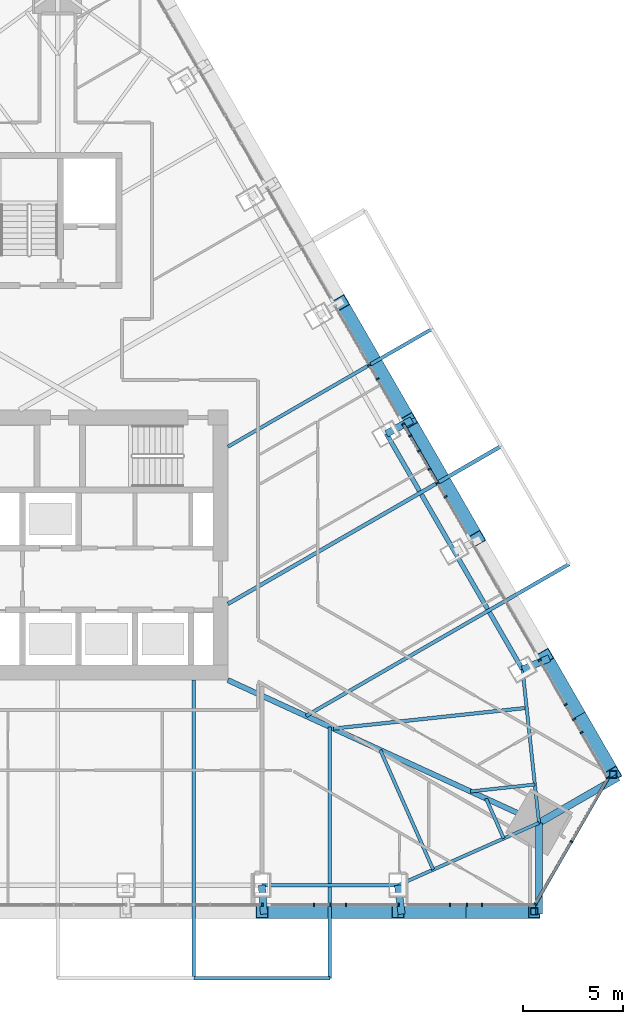
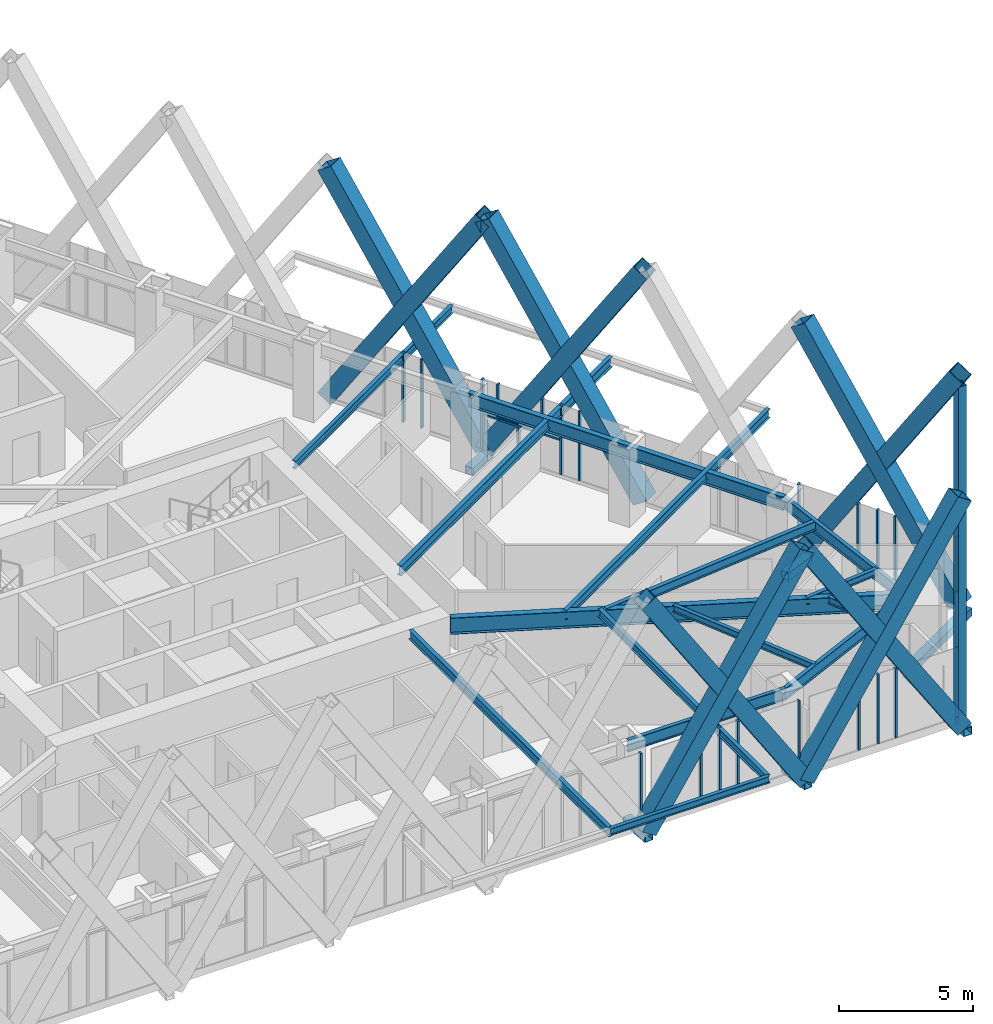
# One storey, part 8 of 24: 43 members, 15 beams, 3 elements without a shape of their own.
"""IFC4 building model written with IfcOpenShell, lengths in metres."""

from ifc_helpers import new_model, si_unit, direction, frame, origin, origin_2d, place, context, subcontext, project, spatial, rectangle, hollow_rectangle, i_section, extrude, material, layer, layer_set, material_profile, profile_set, type_object, element, aggregate, save


model = new_model("IFC4")

# Units and contexts
model_context = context("Model", 3, precision=1e-05, world=origin(), true_north=direction((0.0, 1.0)))
body_context = subcontext(model_context, "Body", "Model", "MODEL_VIEW")
ifc_project = project(units=[si_unit("LENGTHUNIT", "METRE"), si_unit("AREAUNIT", "SQUARE_METRE"), si_unit("VOLUMEUNIT", "CUBIC_METRE"), si_unit("PLANEANGLEUNIT", "RADIAN"), si_unit("MASSUNIT", "GRAM", prefix="KILO")], contexts=[model_context])

# Site, building, storey
site_placement = place(None, origin())
site = spatial("IfcSite", under=ifc_project, at=site_placement, CompositionType="ELEMENT")
building_placement = place(site_placement, origin())
building = spatial("IfcBuilding", under=site, at=building_placement, Name="Firuza Gate Tower and Library", CompositionType="ELEMENT")
storey_placement = place(building_placement, frame((0.0, 0.0, 260.10009765625)))
storey = spatial("IfcBuildingStorey", under=building, at=storey_placement, Name="L61", CompositionType="ELEMENT", Elevation=260.10009765625)

# Members
ifc_material_1 = material(Name="Steel S355", Category="steel")
ifc_material_profile_1 = material_profile(ifc_material_1, hollow_rectangle(XDim=0.699951171875, YDim=0.699951171875, WallThickness=0.030029296875, at=origin_2d()))
ifc_profile_set_1 = profile_set([ifc_material_profile_1], Name="Steel S355")
member_type_1 = type_object("IfcMemberType", Name="BU700x700x30 Lattice brace", PredefinedType="BRACE", material=ifc_profile_set_1)
for number, where, z_axis, x_axis, name in (
    (1, (85.199951171875, 56.7021484375, 0.0), (0.543585438584, 0.0, 0.839353841332), (0.0, 1.0, 0.0), "Lattice brace S 15.6R"),
    (2, (92.0, 56.7021484375, 0.0), (-0.543585438584, 0.0, 0.839353841332), (0.0, -1.0, 0.0), "Lattice brace S 15.6L"),
    (3, (92.0, 56.7021484375, 0.0), (0.543585438584, 0.0, 0.839353841332), (0.0, 1.0, 0.0), "Lattice brace S 15.7R"),
    (4, (98.800048828125, 56.7021484375, 0.0), (-0.543585438584, 0.0, 0.839353841332), (0.0, -1.0, 0.0), "Lattice brace S 15.7L"),
    (5, (102.746337890625, 63.53759765625, 0.0), (-0.2717846947, 0.470753886318, 0.839359195007), (-0.866029536736, -0.499992841449, 0.0), "Lattice brace E 15.1R"),
    (6, (99.346435546875, 69.426513671875, 0.0), (0.2717846947, -0.470753886318, 0.839359195007), (0.866029536736, 0.499992841449, 0.0), "Lattice brace E 15.1L"),
    (7, (95.9462890625, 75.3154296875, 0.0), (-0.2717846947, 0.470753886318, 0.839359195007), (-0.866029536736, -0.499992841449, 0.0), "Lattice brace E 15.3R"),
    (8, (92.54638671875, 81.204345703125, 0.0), (0.2717846947, -0.470753886318, 0.839359195007), (0.866029536736, 0.499992841449, 0.0), "Lattice brace E 15.3L"),
):
    element("IfcMember", number, at=place(storey_placement, frame(where, z_axis=z_axis, x_axis=x_axis)), inside=storey, type_object=member_type_1, Name=name, PredefinedType="BRACE", context=body_context, shape_type="SweptSolid", body=[
        extrude(hollow_rectangle(XDim=0.699951171875, YDim=0.699951171875, WallThickness=0.030029296875, at=origin_2d()), origin(), (0.0, 0.0, 1.0), 12.509521484375),
    ])
for number, where, z_axis, x_axis, name in (
    (9, (92.54638671875, 81.204345703125, 0.0), (-0.271782197689, 0.470769077456, 0.839351483427), (-0.866038511948, -0.499977295307, 0.0), "Lattice brace E 15.4R"),
    (10, (89.146484375, 87.093505859375, 0.0), (0.271782197689, -0.470769077456, 0.839351483427), (0.866038511948, 0.499977295307, 0.0), "Lattice brace E 15.4L"),
):
    element("IfcMember", number, at=place(storey_placement, frame(where, z_axis=z_axis, x_axis=x_axis)), inside=storey, type_object=member_type_1, Name=name, PredefinedType="BRACE", context=body_context, shape_type="SweptSolid", body=[
        extrude(hollow_rectangle(XDim=0.699951171875, YDim=0.699951171875, WallThickness=0.030029296875, at=origin_2d()), origin(), (0.0, 0.0, 1.0), 12.509765625),
    ])

# Curtain wall, members
ifc_material_2 = material(Name="Aluminium 6063-T6", Category="aluminium")
ifc_layer_1 = layer(ifc_material_2, 0.14990234375)
ifc_layer_set_1 = layer_set([ifc_layer_1], Name="Unitised curtain wall, residences")
curtain_wall_type_1 = type_object("IfcCurtainWallType", Name="Unitised curtain wall, residences", PredefinedType="NOTDEFINED", material=ifc_layer_set_1)
placement = place(storey_placement, origin())
curtain_wall_1 = element("IfcCurtainWall", 11, at=placement, inside=storey, type_object=curtain_wall_type_1, Name="CW3 L61 S face", PredefinedType="NOTDEFINED")
ifc_material_3 = material(Name="Aluminium 6063-T6", Category="aluminium")
ifc_material_profile_2 = material_profile(ifc_material_3, rectangle(XDim=0.14990234375, YDim=0.080078125, at=origin_2d()))
ifc_profile_set_2 = profile_set([ifc_material_profile_2], Name="Aluminium 6063-T6")
member_type_2 = type_object("IfcMemberType", Name="Curtain wall mullion 80x150", PredefinedType="MULLION", material=ifc_profile_set_2)
member_1_placement = place(storey_placement, frame((85.218505859375, 57.027099609375, 0.14990234375), z_axis=(0.0, 0.0, 1.0), x_axis=(0.0, 1.0, 0.0)))
member_1 = element("IfcMember", 12, at=member_1_placement, type_object=member_type_2, Name="Mullion", PredefinedType="MULLION", context=body_context, shape_type="SweptSolid", body=[
    extrude(rectangle(XDim=0.14990234375, YDim=0.080078125, at=origin_2d()), origin(), (0.0, 0.0, 1.0), 3.14990234375),
])
member_2_placement = place(storey_placement, frame((88.624755859375, 57.027099609375, 0.14990234375), z_axis=(0.0, 0.0, 1.0), x_axis=(0.0, 1.0, 0.0)))
member_2 = element("IfcMember", 13, at=member_2_placement, type_object=member_type_2, Name="Mullion", PredefinedType="MULLION", context=body_context, shape_type="SweptSolid", body=[
    extrude(rectangle(XDim=0.14990234375, YDim=0.080078125, at=origin_2d()), origin(), (0.0, 0.0, 1.0), 3.14990234375),
])
member_3_placement = place(storey_placement, frame((92.031005859375, 57.027099609375, 0.14990234375), z_axis=(0.0, 0.0, 1.0), x_axis=(0.0, 1.0, 0.0)))
member_3 = element("IfcMember", 14, at=member_3_placement, type_object=member_type_2, Name="Mullion", PredefinedType="MULLION", context=body_context, shape_type="SweptSolid", body=[
    extrude(rectangle(XDim=0.14990234375, YDim=0.080078125, at=origin_2d()), origin(), (0.0, 0.0, 1.0), 3.14990234375),
])
member_4_placement = place(storey_placement, frame((95.43701171875, 57.027099609375, 0.14990234375), z_axis=(0.0, 0.0, 1.0), x_axis=(0.0, 1.0, 0.0)))
member_4 = element("IfcMember", 15, at=member_4_placement, type_object=member_type_2, Name="Mullion", PredefinedType="MULLION", context=body_context, shape_type="SweptSolid", body=[
    extrude(rectangle(XDim=0.14990234375, YDim=0.080078125, at=origin_2d()), origin(), (0.0, 0.0, 1.0), 3.14990234375),
])
member_5_placement = place(storey_placement, frame((87.799072265625, 57.027099609375, 0.14990234375), z_axis=(0.0, 0.0, 1.0), x_axis=(0.0, 1.0, 0.0)))
member_5 = element("IfcMember", 16, at=member_5_placement, type_object=member_type_2, Name="Mullion", PredefinedType="MULLION", context=body_context, shape_type="SweptSolid", body=[
    extrude(rectangle(XDim=0.14990234375, YDim=0.080078125, at=origin_2d()), origin(), (0.0, 0.0, 1.0), 3.14990234375),
])
member_6_placement = place(storey_placement, frame((89.40087890625, 57.027099609375, 0.14990234375), z_axis=(0.0, 0.0, 1.0), x_axis=(0.0, 1.0, 0.0)))
member_6 = element("IfcMember", 17, at=member_6_placement, type_object=member_type_2, Name="Mullion", PredefinedType="MULLION", context=body_context, shape_type="SweptSolid", body=[
    extrude(rectangle(XDim=0.14990234375, YDim=0.080078125, at=origin_2d()), origin(), (0.0, 0.0, 1.0), 3.14990234375),
])
member_7_placement = place(storey_placement, frame((94.59912109375, 57.027099609375, 0.14990234375), z_axis=(0.0, 0.0, 1.0), x_axis=(0.0, 1.0, 0.0)))
member_7 = element("IfcMember", 18, at=member_7_placement, type_object=member_type_2, Name="Mullion", PredefinedType="MULLION", context=body_context, shape_type="SweptSolid", body=[
    extrude(rectangle(XDim=0.14990234375, YDim=0.080078125, at=origin_2d()), origin(), (0.0, 0.0, 1.0), 3.14990234375),
])
member_8_placement = place(storey_placement, frame((96.200927734375, 57.027099609375, 0.14990234375), z_axis=(0.0, 0.0, 1.0), x_axis=(0.0, 1.0, 0.0)))
member_8 = element("IfcMember", 19, at=member_8_placement, type_object=member_type_2, Name="Mullion", PredefinedType="MULLION", context=body_context, shape_type="SweptSolid", body=[
    extrude(rectangle(XDim=0.14990234375, YDim=0.080078125, at=origin_2d()), origin(), (0.0, 0.0, 1.0), 3.14990234375),
])
aggregate(curtain_wall_1, [member_1, member_2, member_3, member_4, member_5, member_6, member_7, member_8])

ifc_material_4 = material(Name="Aluminium 6063-T6", Category="aluminium")
ifc_layer_2 = layer(ifc_material_4, 0.14990234375)
ifc_layer_set_2 = layer_set([ifc_layer_2], Name="Corner curtain wall, chamfers")
curtain_wall_type_2 = type_object("IfcCurtainWallType", Name="Corner curtain wall, chamfers", PredefinedType="NOTDEFINED", material=ifc_layer_set_2)
curtain_wall_2 = element("IfcCurtainWall", 20, at=placement, inside=storey, type_object=curtain_wall_type_2, Name="CW4 L61 SE corner", PredefinedType="NOTDEFINED")
member_9_placement = place(storey_placement, frame((98.86328125, 57.061767578125, 0.14990234375), z_axis=(0.0, 0.0, 1.0), x_axis=(-0.866025403784, 0.5, 0.0)))
member_9 = element("IfcMember", 21, at=member_9_placement, type_object=member_type_2, Name="Mullion", PredefinedType="MULLION", context=body_context, shape_type="SweptSolid", body=[
    extrude(rectangle(XDim=0.14990234375, YDim=0.080078125, at=origin_2d()), origin(), (0.0, 0.0, 1.0), 3.14990234375),
])
member_10_placement = place(storey_placement, frame((100.6650390625, 60.182373046875, 0.14990234375), z_axis=(0.0, 0.0, 1.0), x_axis=(-0.866025403784, 0.5, 0.0)))
member_10 = element("IfcMember", 22, at=member_10_placement, type_object=member_type_2, Name="Mullion", PredefinedType="MULLION", context=body_context, shape_type="SweptSolid", body=[
    extrude(rectangle(XDim=0.14990234375, YDim=0.080078125, at=origin_2d()), origin(), (0.0, 0.0, 1.0), 3.14990234375),
])

curtain_wall_3 = element("IfcCurtainWall", 23, at=placement, inside=storey, type_object=curtain_wall_type_1, Name="CW3 L61 E face", PredefinedType="NOTDEFINED")
member_11_placement = place(storey_placement, frame((102.466552734375, 63.3720703125, 0.14990234375), z_axis=(0.0, 0.0, 1.0), x_axis=(-0.866025403784, -0.5, 0.0)))
member_11 = element("IfcMember", 24, at=member_11_placement, type_object=member_type_2, Name="Mullion", PredefinedType="MULLION", context=body_context, shape_type="SweptSolid", body=[
    extrude(rectangle(XDim=0.14990234375, YDim=0.080078125, at=origin_2d()), origin(), (0.0, 0.0, 1.0), 3.14990234375),
])
member_12_placement = place(storey_placement, frame((100.783447265625, 66.287353515625, 0.14990234375), z_axis=(0.0, 0.0, 1.0), x_axis=(-0.866025403784, -0.5, 0.0)))
member_12 = element("IfcMember", 25, at=member_12_placement, type_object=member_type_2, Name="Mullion", PredefinedType="MULLION", context=body_context, shape_type="SweptSolid", body=[
    extrude(rectangle(XDim=0.14990234375, YDim=0.080078125, at=origin_2d()), origin(), (0.0, 0.0, 1.0), 3.14990234375),
])
member_13_placement = place(storey_placement, frame((99.080322265625, 69.2373046875, 0.14990234375), z_axis=(0.0, 0.0, 1.0), x_axis=(-0.866025403784, -0.5, 0.0)))
member_13 = element("IfcMember", 26, at=member_13_placement, type_object=member_type_2, Name="Mullion", PredefinedType="MULLION", context=body_context, shape_type="SweptSolid", body=[
    extrude(rectangle(XDim=0.14990234375, YDim=0.080078125, at=origin_2d()), origin(), (0.0, 0.0, 1.0), 3.14990234375),
])
member_14_placement = place(storey_placement, frame((93.97119140625, 78.086669921875, 0.14990234375), z_axis=(0.0, 0.0, 1.0), x_axis=(-0.866025403784, -0.5, 0.0)))
member_14 = element("IfcMember", 27, at=member_14_placement, type_object=member_type_2, Name="Mullion", PredefinedType="MULLION", context=body_context, shape_type="SweptSolid", body=[
    extrude(rectangle(XDim=0.14990234375, YDim=0.080078125, at=origin_2d()), origin(), (0.0, 0.0, 1.0), 3.14990234375),
])
member_15_placement = place(storey_placement, frame((92.26806640625, 81.03662109375, 0.14990234375), z_axis=(0.0, 0.0, 1.0), x_axis=(-0.866025403784, -0.5, 0.0)))
member_15 = element("IfcMember", 28, at=member_15_placement, type_object=member_type_2, Name="Mullion", PredefinedType="MULLION", context=body_context, shape_type="SweptSolid", body=[
    extrude(rectangle(XDim=0.14990234375, YDim=0.080078125, at=origin_2d()), origin(), (0.0, 0.0, 1.0), 3.14990234375),
])
member_16_placement = place(storey_placement, frame((90.56494140625, 83.986328125, 0.14990234375), z_axis=(0.0, 0.0, 1.0), x_axis=(-0.866025403784, -0.5, 0.0)))
member_16 = element("IfcMember", 29, at=member_16_placement, type_object=member_type_2, Name="Mullion", PredefinedType="MULLION", context=body_context, shape_type="SweptSolid", body=[
    extrude(rectangle(XDim=0.14990234375, YDim=0.080078125, at=origin_2d()), origin(), (0.0, 0.0, 1.0), 3.14990234375),
])
member_17_placement = place(storey_placement, frame((101.165283203125, 65.6259765625, 0.14990234375), z_axis=(0.0, 0.0, 1.0), x_axis=(-0.866025403784, -0.5, 0.0)))
member_17 = element("IfcMember", 30, at=member_17_placement, type_object=member_type_2, Name="Mullion", PredefinedType="MULLION", context=body_context, shape_type="SweptSolid", body=[
    extrude(rectangle(XDim=0.14990234375, YDim=0.080078125, at=origin_2d()), origin(), (0.0, 0.0, 1.0), 3.14990234375),
])
member_18_placement = place(storey_placement, frame((100.364501953125, 67.01318359375, 0.14990234375), z_axis=(0.0, 0.0, 1.0), x_axis=(-0.866025403784, -0.5, 0.0)))
member_18 = element("IfcMember", 31, at=member_18_placement, type_object=member_type_2, Name="Mullion", PredefinedType="MULLION", context=body_context, shape_type="SweptSolid", body=[
    extrude(rectangle(XDim=0.14990234375, YDim=0.080078125, at=origin_2d()), origin(), (0.0, 0.0, 1.0), 3.14990234375),
])
member_19_placement = place(storey_placement, frame((94.365478515625, 77.40380859375, 0.14990234375), z_axis=(0.0, 0.0, 1.0), x_axis=(-0.866025403784, -0.5, 0.0)))
member_19 = element("IfcMember", 32, at=member_19_placement, type_object=member_type_2, Name="Mullion", PredefinedType="MULLION", context=body_context, shape_type="SweptSolid", body=[
    extrude(rectangle(XDim=0.14990234375, YDim=0.080078125, at=origin_2d()), origin(), (0.0, 0.0, 1.0), 3.14990234375),
])
member_20_placement = place(storey_placement, frame((93.04150390625, 79.69677734375, 0.14990234375), z_axis=(0.0, 0.0, 1.0), x_axis=(-0.866025403784, -0.5, 0.0)))
member_20 = element("IfcMember", 33, at=member_20_placement, type_object=member_type_2, Name="Mullion", PredefinedType="MULLION", context=body_context, shape_type="SweptSolid", body=[
    extrude(rectangle(XDim=0.14990234375, YDim=0.080078125, at=origin_2d()), origin(), (0.0, 0.0, 1.0), 1.534912109375),
])
member_21_placement = place(storey_placement, frame((93.564453125, 78.791015625, 1.764892578125), z_axis=(0.0, 0.0, 1.0), x_axis=(-0.866025403784, -0.5, 0.0)))
member_21 = element("IfcMember", 34, at=member_21_placement, type_object=member_type_2, Name="Mullion", PredefinedType="MULLION", context=body_context, shape_type="SweptSolid", body=[
    extrude(rectangle(XDim=0.14990234375, YDim=0.080078125, at=origin_2d()), origin(), (0.0, 0.0, 1.0), 1.534912109375),
])
member_22_placement = place(storey_placement, frame((92.60546875, 80.4521484375, 1.764892578125), z_axis=(0.0, 0.0, 1.0), x_axis=(-0.866025403784, -0.5, 0.0)))
member_22 = element("IfcMember", 35, at=member_22_placement, type_object=member_type_2, Name="Mullion", PredefinedType="MULLION", context=body_context, shape_type="SweptSolid", body=[
    extrude(rectangle(XDim=0.14990234375, YDim=0.080078125, at=origin_2d()), origin(), (0.0, 0.0, 1.0), 1.534912109375),
])
member_23_placement = place(storey_placement, frame((90.96533203125, 83.29296875, 0.14990234375), z_axis=(0.0, 0.0, 1.0), x_axis=(-0.866025403784, -0.5, 0.0)))
member_23 = element("IfcMember", 36, at=member_23_placement, type_object=member_type_2, Name="Mullion", PredefinedType="MULLION", context=body_context, shape_type="SweptSolid", body=[
    extrude(rectangle(XDim=0.14990234375, YDim=0.080078125, at=origin_2d()), origin(), (0.0, 0.0, 1.0), 3.14990234375),
])

# Member
ifc_material_5 = material(Name="Aluminium 6063-T6", Category="aluminium")
ifc_material_profile_3 = material_profile(ifc_material_5, rectangle(XDim=0.14990234375, YDim=0.35009765625, at=origin_2d()))
ifc_profile_set_3 = profile_set([ifc_material_profile_3], Name="Aluminium 6063-T6")
member_type_3 = type_object("IfcMemberType", Name="Curtain wall transom 350x150", PredefinedType="USERDEFINED", material=ifc_profile_set_3)
member_24_placement = place(storey_placement, frame((98.84326171875, 57.027099609375, -0.025146484375), z_axis=(0.499991211061, 0.866030478021, 0.0), x_axis=(-0.866030478021, 0.499991211061, 0.0)))
member_24 = element("IfcMember", 37, at=member_24_placement, type_object=member_type_3, Name="Transom", ObjectType="TRANSOM", PredefinedType="USERDEFINED", context=body_context, shape_type="SweptSolid", body=[
    extrude(rectangle(XDim=0.14990234375, YDim=0.35009765625, at=origin_2d()), origin(), (0.0, 0.0, 1.0), 7.286865234375),
])

aggregate(curtain_wall_2, [member_9, member_10, member_24])

ifc_material_6 = material(Name="Aluminium 6063-T6", Category="aluminium")
ifc_material_profile_4 = material_profile(ifc_material_6, rectangle(XDim=0.14990234375, YDim=0.080078125, at=origin_2d()))
ifc_profile_set_4 = profile_set([ifc_material_profile_4], Name="Aluminium 6063-T6")
member_type_4 = type_object("IfcMemberType", Name="Curtain wall transom 80x150", PredefinedType="USERDEFINED", material=ifc_profile_set_4)
member_25_placement = place(storey_placement, frame((93.951171875, 78.121337890625, 1.724853515625), z_axis=(-0.499991421906, 0.866030356293, 0.0), x_axis=(-0.866030356293, -0.499991421906, 0.0)))
member_25 = element("IfcMember", 38, at=member_25_placement, type_object=member_type_4, Name="Transom", ObjectType="TRANSOM", PredefinedType="USERDEFINED", context=body_context, shape_type="SweptSolid", body=[
    extrude(rectangle(XDim=0.14990234375, YDim=0.080078125, at=origin_2d()), origin(), (0.0, 0.0, 1.0), 3.326171875),
])

aggregate(curtain_wall_3, [member_11, member_12, member_13, member_14, member_15, member_16, member_17, member_18, member_19, member_20, member_21, member_22, member_25, member_23])

# Members
ifc_material_7 = material(Name="Steel S355", Category="steel")
ifc_material_profile_5 = material_profile(ifc_material_7, hollow_rectangle(XDim=0.355712890625, YDim=0.355712890625, WallThickness=0.014892578125, at=origin_2d()))
ifc_profile_set_5 = profile_set([ifc_material_profile_5], Name="Steel S355")
member_type_5 = type_object("IfcMemberType", Name="HSS356x356x16 Lattice corner stile", PredefinedType="BRACE", material=ifc_profile_set_5)
for number, where, z_axis, x_axis, name in (
    (39, (98.800048828125, 56.7021484375, -0.14013671875), (0.0, 0.0, 1.0), (1.0, 0.0, 0.0), "Lattice corner stile S 15.B"),
    (40, (102.746337890625, 63.53759765625, -0.14013671875), (0.0, 0.0, 1.0), (1.0, 0.0, 0.0), "Lattice corner stile E 15.A"),
):
    element("IfcMember", number, at=place(storey_placement, frame(where, z_axis=z_axis, x_axis=x_axis)), inside=storey, type_object=member_type_5, Name=name, PredefinedType="BRACE", context=body_context, shape_type="SweptSolid", body=[
        extrude(hollow_rectangle(XDim=0.355712890625, YDim=0.355712890625, WallThickness=0.014892578125, at=origin_2d()), origin(), (0.0, 0.0, 1.0), 10.14013671875),
    ])
ifc_material_8 = material(Name="Steel S355", Category="steel")
ifc_material_profile_6 = material_profile(ifc_material_8, hollow_rectangle(XDim=0.355712890625, YDim=0.355712890625, WallThickness=0.014892578125, at=origin_2d()))
ifc_profile_set_6 = profile_set([ifc_material_profile_6], Name="Steel S355")
member_type_6 = type_object("IfcMemberType", Name="HSS356x356x16 Lattice node tie", PredefinedType="BRACE", material=ifc_profile_set_6)
member_26_placement = place(storey_placement, frame((91.420654296875, 80.554443359375, -0.320068359375), z_axis=(0.878121525414, 0.478437651741, 0.0), x_axis=(-0.478437651741, 0.878121525414, 0.0)))
element("IfcMember", 41, at=member_26_placement, inside=storey, type_object=member_type_6, Name="Lattice node tie E L61 371", PredefinedType="BRACE", context=body_context, shape_type="SweptSolid", body=[
    extrude(hollow_rectangle(XDim=0.355712890625, YDim=0.355712890625, WallThickness=0.014892578125, at=origin_2d()), origin(), (0.0, 0.0, 1.0), 1.444580078125),
])
member_27_placement = place(storey_placement, frame((98.220458984375, 68.776611328125, -0.320068359375), z_axis=(0.920888518999, 0.389826032451, 0.0), x_axis=(-0.389826032451, 0.920888518999, 0.0)))
element("IfcMember", 42, at=member_27_placement, inside=storey, type_object=member_type_6, Name="Lattice node tie E L61 373", PredefinedType="BRACE", context=body_context, shape_type="SweptSolid", body=[
    extrude(hollow_rectangle(XDim=0.355712890625, YDim=0.355712890625, WallThickness=0.014892578125, at=origin_2d()), origin(), (0.0, 0.0, 1.0), 1.45556640625),
])
member_28_placement = place(storey_placement, frame((99.041259765625, 61.119873046875, -0.320068359375), z_axis=(0.866998795351, 0.49831023355, 0.0), x_axis=(-0.49831023355, 0.866998795351, 0.0)))
element("IfcMember", 43, at=member_28_placement, inside=storey, type_object=member_type_6, Name="Lattice node tie E L61 374", PredefinedType="BRACE", context=body_context, shape_type="SweptSolid", body=[
    extrude(hollow_rectangle(XDim=0.355712890625, YDim=0.355712890625, WallThickness=0.014892578125, at=origin_2d()), origin(), (0.0, 0.0, 1.0), 4.561767578125),
])
member_29_placement = place(storey_placement, frame((85.199951171875, 58.002197265625, -0.320068359375), z_axis=(0.074002079147, -0.997258087098, 0.0), x_axis=(0.997258087098, 0.074002079147, 0.0)))
element("IfcMember", 44, at=member_29_placement, inside=storey, type_object=member_type_6, Name="Lattice node tie S L61 380", PredefinedType="BRACE", context=body_context, shape_type="SweptSolid", body=[
    extrude(hollow_rectangle(XDim=0.355712890625, YDim=0.355712890625, WallThickness=0.014892578125, at=origin_2d()), origin(), (0.0, 0.0, 1.0), 1.4482421875),
])
member_30_placement = place(storey_placement, frame((92.0, 58.002197265625, -0.320068359375), z_axis=(0.122630610594, -0.992452383415, 0.0), x_axis=(0.992452383415, 0.122630610594, 0.0)))
element("IfcMember", 45, at=member_30_placement, inside=storey, type_object=member_type_6, Name="Lattice node tie S L61 381", PredefinedType="BRACE", context=body_context, shape_type="SweptSolid", body=[
    extrude(hollow_rectangle(XDim=0.355712890625, YDim=0.355712890625, WallThickness=0.014892578125, at=origin_2d()), origin(), (0.0, 0.0, 1.0), 1.455322265625),
])
member_31_placement = place(storey_placement, frame((99.041259765625, 61.119873046875, -0.320068359375), z_axis=(0.001926572471, -0.999998144158, 0.0), x_axis=(0.999998144158, 0.001926572471, 0.0)))
element("IfcMember", 46, at=member_31_placement, inside=storey, type_object=member_type_6, Name="Lattice node tie S L61 382", PredefinedType="BRACE", context=body_context, shape_type="SweptSolid", body=[
    extrude(hollow_rectangle(XDim=0.355712890625, YDim=0.355712890625, WallThickness=0.014892578125, at=origin_2d()), origin(), (0.0, 0.0, 1.0), 4.56201171875),
])

# Beams
ifc_material_9 = material(Name="Steel S355", Category="steel")
ifc_material_profile_7 = material_profile(ifc_material_9, i_section(OverallWidth=0.1650390625, OverallDepth=0.31005859375, WebThickness=0.005859375, FlangeThickness=0.009765625, at=origin_2d()))
ifc_profile_set_7 = profile_set([ifc_material_profile_7], Name="Steel S355")
beam_type_1 = type_object("IfcBeamType", Name="W310x39 Floor beam", PredefinedType="JOIST", material=ifc_profile_set_7)
beam_1_placement = place(storey_placement, frame((93.76025390625, 58.781494140625, 3.14501953125), z_axis=(-0.404862345523, 0.914377646915, 0.0), x_axis=(-0.914377646915, -0.404862345523, 0.0)))
element("IfcBeam", 47, at=beam_1_placement, inside=storey, type_object=beam_type_1, Name="Floor beam L61 s30", PredefinedType="JOIST", context=body_context, shape_type="SweptSolid", body=[
    extrude(i_section(OverallWidth=0.1650390625, OverallDepth=0.31005859375, WebThickness=0.005859375, FlangeThickness=0.009765625, at=origin_2d()), origin(), (0.0, 0.0, 1.0), 6.534423828125),
])
beam_2_placement = place(storey_placement, frame((97.28076171875, 60.34033203125, 3.14501953125), z_axis=(-0.404848514382, 0.914383770855, 0.0), x_axis=(-0.914383770855, -0.404848514382, 0.0)))
element("IfcBeam", 48, at=beam_2_placement, inside=storey, type_object=beam_type_1, Name="Floor beam L61 s31", PredefinedType="JOIST", context=body_context, shape_type="SweptSolid", body=[
    extrude(i_section(OverallWidth=0.1650390625, OverallDepth=0.31005859375, WebThickness=0.005859375, FlangeThickness=0.009765625, at=origin_2d()), origin(), (0.0, 0.0, 1.0), 2.17822265625),
])
beam_3_placement = place(storey_placement, frame((98.8359375, 63.033935546875, 3.14501953125), z_axis=(-0.994311438284, -0.106511800745, 0.0), x_axis=(0.106511800745, -0.994311438284, 0.0)))
element("IfcBeam", 49, at=beam_3_placement, inside=storey, type_object=beam_type_1, Name="Floor beam L61 s40", PredefinedType="JOIST", context=body_context, shape_type="SweptSolid", body=[
    extrude(i_section(OverallWidth=0.1650390625, OverallDepth=0.31005859375, WebThickness=0.005859375, FlangeThickness=0.009765625, at=origin_2d()), origin(), (0.0, 0.0, 1.0), 3.234130859375),
])
beam_4_placement = place(storey_placement, frame((81.800048828125, 53.35205078125, 3.14501953125), z_axis=(1.0, 0.0, 0.0), x_axis=(0.0, 1.0, 0.0)))
element("IfcBeam", 50, at=beam_4_placement, inside=storey, type_object=beam_type_1, Name="Tray edge beam L61 s23-s24", PredefinedType="JOIST", context=body_context, shape_type="SweptSolid", body=[
    extrude(i_section(OverallWidth=0.1650390625, OverallDepth=0.31005859375, WebThickness=0.005859375, FlangeThickness=0.009765625, at=origin_2d()), origin(), (0.0, 0.0, 1.0), 6.800048828125),
])
ifc_material_10 = material(Name="Steel S355", Category="steel")
ifc_material_profile_8 = material_profile(ifc_material_10, i_section(OverallWidth=0.1708984375, OverallDepth=0.35498046875, WebThickness=0.007080078125, FlangeThickness=0.01171875, at=origin_2d()))
ifc_profile_set_8 = profile_set([ifc_material_profile_8], Name="Steel S355")
beam_type_2 = type_object("IfcBeamType", Name="W360x51 Floor beam", PredefinedType="JOIST", material=ifc_profile_set_8)
beam_5_placement = place(storey_placement, frame((88.60009765625, 53.35205078125, 3.122314453125), z_axis=(0.0, 1.0, 0.0), x_axis=(-1.0, 0.0, 0.0)))
element("IfcBeam", 51, at=beam_5_placement, inside=storey, type_object=beam_type_2, Name="Floor beam L61 s24", PredefinedType="JOIST", context=body_context, shape_type="SweptSolid", body=[
    extrude(i_section(OverallWidth=0.1708984375, OverallDepth=0.35498046875, WebThickness=0.007080078125, FlangeThickness=0.01171875, at=origin_2d()), origin(), (0.0, 0.0, 1.0), 12.55810546875),
])
beam_6_placement = place(storey_placement, frame((93.6943359375, 85.793212890625, 3.122314453125), z_axis=(-0.866023947468, -0.500002522405, 0.0), x_axis=(0.500002522405, -0.866023947468, 0.0)))
element("IfcBeam", 52, at=beam_6_placement, inside=storey, type_object=beam_type_2, Name="Floor beam L61 s52", PredefinedType="JOIST", context=body_context, shape_type="SweptSolid", body=[
    extrude(i_section(OverallWidth=0.1708984375, OverallDepth=0.35498046875, WebThickness=0.007080078125, FlangeThickness=0.01171875, at=origin_2d()), origin(), (0.0, 0.0, 1.0), 11.771484375),
])
ifc_material_11 = material(Name="Steel S355", Category="steel")
ifc_material_profile_9 = material_profile(ifc_material_11, i_section(OverallWidth=0.177978515625, OverallDepth=0.406982421875, WebThickness=0.0078125, FlangeThickness=0.0126953125, at=origin_2d()))
ifc_profile_set_9 = profile_set([ifc_material_profile_9], Name="Steel S355")
beam_type_3 = type_object("IfcBeamType", Name="W410x60 Floor beam", PredefinedType="JOIST", material=ifc_profile_set_9)
beam_7_placement = place(storey_placement, frame((81.800048828125, 53.35205078125, 3.096435546875), z_axis=(0.0, 1.0, 0.0), x_axis=(-1.0, 0.0, 0.0)))
element("IfcBeam", 53, at=beam_7_placement, inside=storey, type_object=beam_type_3, Name="Floor beam L61 s23", PredefinedType="JOIST", context=body_context, shape_type="SweptSolid", body=[
    extrude(i_section(OverallWidth=0.177978515625, OverallDepth=0.406982421875, WebThickness=0.0078125, FlangeThickness=0.0126953125, at=origin_2d()), origin(), (0.0, 0.0, 1.0), 14.89794921875),
])
beam_8_placement = place(storey_placement, frame((98.42578125, 66.8623046875, 3.096435546875), z_axis=(-0.994306107406, -0.106561553924, 0.0), x_axis=(0.106561553924, -0.994306107406, 0.0)))
element("IfcBeam", 54, at=beam_8_placement, inside=storey, type_object=beam_type_3, Name="Floor beam L61 s41", PredefinedType="JOIST", context=body_context, shape_type="SweptSolid", body=[
    extrude(i_section(OverallWidth=0.177978515625, OverallDepth=0.406982421875, WebThickness=0.0078125, FlangeThickness=0.0126953125, at=origin_2d()), origin(), (0.0, 0.0, 1.0), 9.70263671875),
])
beam_9_placement = place(storey_placement, frame((100.547607421875, 74.0458984375, 3.096435546875), z_axis=(-0.866027788611, -0.499995869336, 0.0), x_axis=(0.499995869336, -0.866027788611, 0.0)))
element("IfcBeam", 55, at=beam_9_placement, inside=storey, type_object=beam_type_3, Name="Floor beam L61 s50", PredefinedType="JOIST", context=body_context, shape_type="SweptSolid", body=[
    extrude(i_section(OverallWidth=0.177978515625, OverallDepth=0.406982421875, WebThickness=0.0078125, FlangeThickness=0.0126953125, at=origin_2d()), origin(), (0.0, 0.0, 1.0), 15.175537109375),
])
ifc_material_12 = material(Name="Steel S355", Category="steel")
ifc_material_profile_10 = material_profile(ifc_material_12, i_section(OverallWidth=0.18994140625, OverallDepth=0.45703125, WebThickness=0.009033203125, FlangeThickness=0.014404296875, at=origin_2d()))
ifc_profile_set_10 = profile_set([ifc_material_profile_10], Name="Steel S355")
beam_type_4 = type_object("IfcBeamType", Name="W460x74 Floor beam", PredefinedType="JOIST", material=ifc_profile_set_10)
beam_10_placement = place(storey_placement, frame((97.147705078125, 79.93505859375, 3.0712890625), z_axis=(-0.866021763846, -0.500006304505, 0.0), x_axis=(0.500006304505, -0.866021763846, 0.0)))
element("IfcBeam", 56, at=beam_10_placement, inside=storey, type_object=beam_type_4, Name="Floor beam L61 s51", PredefinedType="JOIST", context=body_context, shape_type="SweptSolid", body=[
    extrude(i_section(OverallWidth=0.18994140625, OverallDepth=0.45703125, WebThickness=0.009033203125, FlangeThickness=0.014404296875, at=origin_2d()), origin(), (0.0, 0.0, 1.0), 15.759033203125),
])
ifc_material_13 = material(Name="Steel S355", Category="steel")
ifc_material_profile_11 = material_profile(ifc_material_13, i_section(OverallWidth=0.166015625, OverallDepth=0.534912109375, WebThickness=0.01025390625, FlangeThickness=0.0166015625, at=origin_2d()))
ifc_profile_set_11 = profile_set([ifc_material_profile_11], Name="Steel S355")
beam_type_5 = type_object("IfcBeamType", Name="W530x85 Edge beam", PredefinedType="SPANDREL", material=ifc_profile_set_11)
beam_11_placement = place(storey_placement, frame((85.199951171875, 58.002197265625, 3.032470703125), z_axis=(1.0, 0.0, 0.0), x_axis=(0.0, 1.0, 0.0)))
element("IfcBeam", 57, at=beam_11_placement, inside=storey, type_object=beam_type_5, Name="Edge beam L61 e24", PredefinedType="SPANDREL", context=body_context, shape_type="SweptSolid", body=[
    extrude(i_section(OverallWidth=0.166015625, OverallDepth=0.534912109375, WebThickness=0.01025390625, FlangeThickness=0.0166015625, at=origin_2d()), origin(), (0.0, 0.0, 1.0), 6.800048828125),
])
for number, where, z_axis, x_axis, name in (
    (58, (92.0, 58.002197265625, 3.032470703125), (0.914378062231, 0.404861407534, 0.0), (-0.404861407534, 0.914378062231, 0.0), "Edge beam L61 e30"),
    (59, (99.041259765625, 61.119873046875, 3.032470703125), (-0.106589095348, 0.994303155357, 0.0), (-0.994303155357, -0.106589095348, 0.0), "Edge beam L61 e40"),
):
    element("IfcBeam", number, at=place(storey_placement, frame(where, z_axis=z_axis, x_axis=x_axis)), inside=storey, type_object=beam_type_5, Name=name, PredefinedType="SPANDREL", context=body_context, shape_type="SweptSolid", body=[
        extrude(i_section(OverallWidth=0.166015625, OverallDepth=0.534912109375, WebThickness=0.01025390625, FlangeThickness=0.0166015625, at=origin_2d()), origin(), (0.0, 0.0, 1.0), 7.70068359375),
    ])
ifc_material_14 = material(Name="Steel S355", Category="steel")
ifc_material_profile_12 = material_profile(ifc_material_14, i_section(OverallWidth=0.22900390625, OverallDepth=0.612060546875, WebThickness=0.011962890625, FlangeThickness=0.01953125, at=origin_2d()))
ifc_profile_set_12 = profile_set([ifc_material_profile_12], Name="Steel S355")
beam_type_6 = type_object("IfcBeamType", Name="W610x125 Edge beam", PredefinedType="SPANDREL", material=ifc_profile_set_12)
beam_12_placement = place(storey_placement, frame((98.220458984375, 68.776611328125, 2.993896484375), z_axis=(-0.499992841449, 0.866029536736, 0.0), x_axis=(-0.866029536736, -0.499992841449, 0.0)))
element("IfcBeam", 60, at=beam_12_placement, inside=storey, type_object=beam_type_6, Name="Edge beam L61 e50", PredefinedType="SPANDREL", context=body_context, shape_type="SweptSolid", body=[
    extrude(i_section(OverallWidth=0.22900390625, OverallDepth=0.612060546875, WebThickness=0.011962890625, FlangeThickness=0.01953125, at=origin_2d()), origin(), (0.0, 0.0, 1.0), 13.599853515625),
])
ifc_material_15 = material(Name="Steel S355", Category="steel")
ifc_material_profile_13 = material_profile(ifc_material_15, i_section(OverallWidth=0.264892578125, OverallDepth=0.7529296875, WebThickness=0.01318359375, FlangeThickness=0.01708984375, at=origin_2d()))
ifc_profile_set_13 = profile_set([ifc_material_profile_13], Name="Steel S355")
beam_type_7 = type_object("IfcBeamType", Name="W760x147 Girder", PredefinedType="BEAM", material=ifc_profile_set_13)
beam_13_placement = place(storey_placement, frame((99.041259765625, 61.119873046875, 2.92333984375), z_axis=(-0.908908599986, 0.416995391907, 0.0), x_axis=(-0.416995391907, -0.908908599986, 0.0)))
element("IfcBeam", 61, at=beam_13_placement, inside=storey, type_object=beam_type_7, Name="Girder L61 gSE", PredefinedType="BEAM", context=body_context, shape_type="SweptSolid", body=[
    extrude(i_section(OverallWidth=0.264892578125, OverallDepth=0.7529296875, WebThickness=0.01318359375, FlangeThickness=0.01708984375, at=origin_2d()), origin(), (0.0, 0.0, 1.0), 17.098876953125),
])

save(model, "model.ifc")
